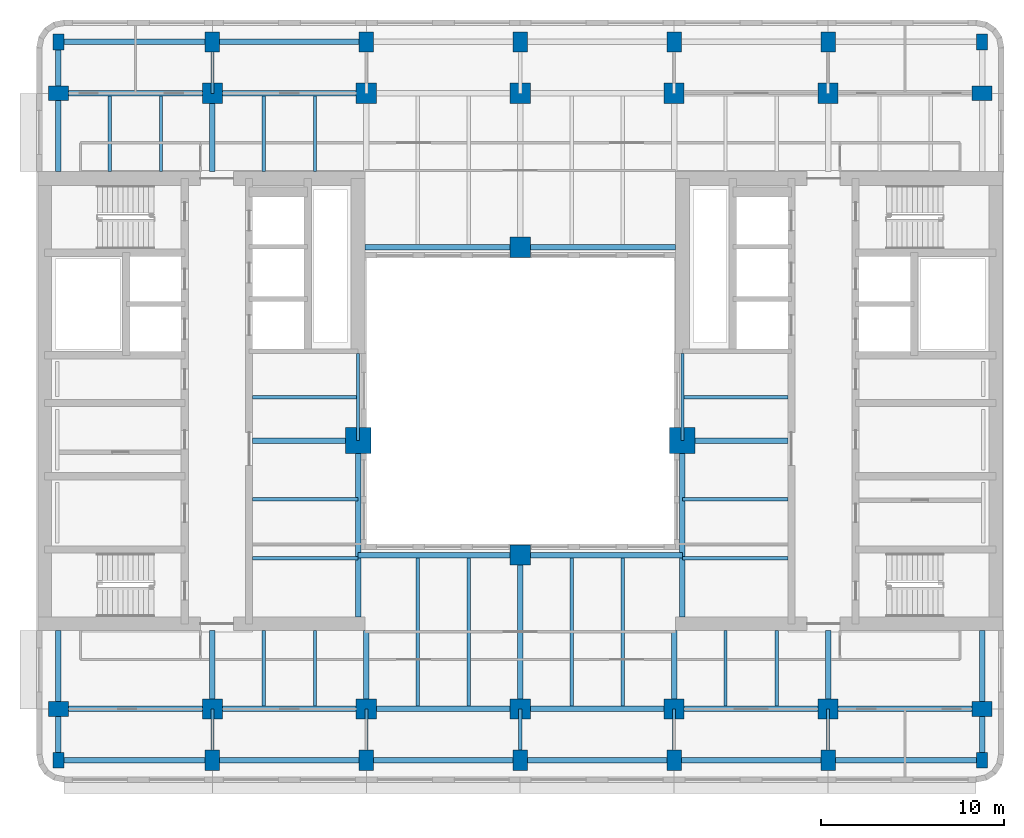
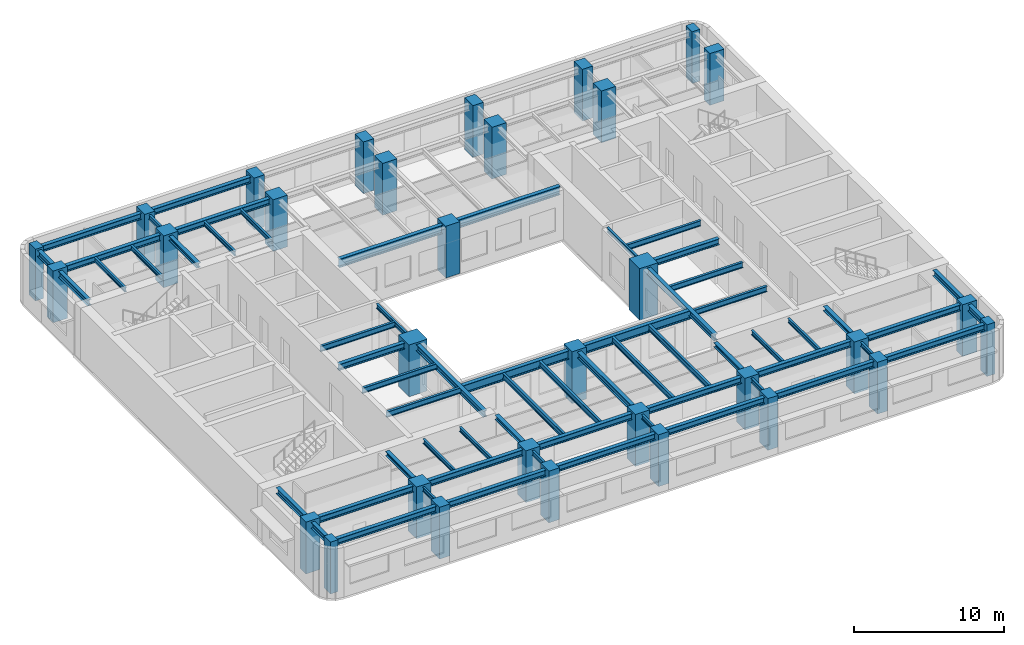
# One storey, part 1 of 11: 62 beams, 32 columns.
"""IFC4 building model written with IfcOpenShell, lengths in metres."""

from ifc_helpers import new_model, si_unit, direction, frame, origin, origin_2d, place, context, subcontext, project, spatial, rectangle, i_section, extrude, material, material_profile, profile_set, type_object, element, save


model = new_model("IFC4")

# Units and contexts
model_context = context("Model", 3, precision=1e-05, world=origin(), true_north=direction((0.0, 1.0)))
body_context = subcontext(model_context, "Body", "Model", "MODEL_VIEW")
ifc_project = project(units=[si_unit("LENGTHUNIT", "METRE"), si_unit("AREAUNIT", "SQUARE_METRE"), si_unit("VOLUMEUNIT", "CUBIC_METRE"), si_unit("PLANEANGLEUNIT", "RADIAN"), si_unit("MASSUNIT", "GRAM", prefix="KILO")], contexts=[model_context])

# Site, building, storey
site_placement = place(None, origin())
site = spatial("IfcSite", under=ifc_project, at=site_placement, CompositionType="ELEMENT")
building_placement = place(site_placement, origin())
building = spatial("IfcBuilding", under=site, at=building_placement, Name="Claustro Exchange Tower", CompositionType="ELEMENT")
storey_placement = place(building_placement, frame((0.0, 0.0, 181.800048828125)))
storey = spatial("IfcBuildingStorey", under=building, at=storey_placement, Name="L41", CompositionType="ELEMENT", Elevation=181.800048828125)

# Columns
ifc_material_1 = material(Name="Concrete HA-70 (C70/85)", Category="concrete")
ifc_material_profile_1 = material_profile(ifc_material_1, rectangle(XDim=1.39990234375, YDim=1.39990234375, at=origin_2d()), Name="RC 1400x1400")
ifc_profile_set_1 = profile_set([ifc_material_profile_1], Name="Concrete HA-70 (C70/85)")
column_type_1 = type_object("IfcColumnType", Name="C0 RC 1400x1400 HA-70 column", PredefinedType="COLUMN", material=ifc_profile_set_1)
for number, where, z_axis, x_axis, name in (
    (1, (16.35009765625, 23.050048828125, 0.0), (0.0, 0.0, 1.0), (1.0, 0.0, 0.0), "Column C0 2+7950/C+6250 L41"),
    (2, (34.050048828125, 23.050048828125, 0.0), (0.0, 0.0, 1.0), (1.0, 0.0, 0.0), "Column C0 5+450/C+6250 L41"),
):
    element("IfcColumn", number, at=place(storey_placement, frame(where, z_axis=z_axis, x_axis=x_axis)), inside=storey, type_object=column_type_1, Name=name, PredefinedType="COLUMN", context=body_context, shape_type="SweptSolid", body=[
        extrude(rectangle(XDim=1.39990234375, YDim=1.39990234375, at=origin_2d()), origin(), (0.0, 0.0, 1.0), 4.199951171875),
    ])
ifc_material_2 = material(Name="Concrete HA-70 (C70/85)", Category="concrete")
ifc_material_profile_2 = material_profile(ifc_material_2, rectangle(XDim=1.10009765625, YDim=1.10009765625, at=origin_2d()), Name="RC 1100x1100")
ifc_profile_set_2 = profile_set([ifc_material_profile_2], Name="Concrete HA-70 (C70/85)")
column_type_2 = type_object("IfcColumnType", Name="C17 RC 1100x1100 HA-70 column", PredefinedType="COLUMN", material=ifc_profile_set_2)
for number, where, z_axis, x_axis, name in (
    (3, (8.39990234375, 8.39990234375, 0.0), (0.0, 0.0, 1.0), (1.0, 0.0, 0.0), "Column C17 2/B L41"),
    (4, (8.39990234375, 42.0, 0.0), (0.0, 0.0, 1.0), (1.0, 0.0, 0.0), "Column C17 2/F L41"),
    (5, (16.800048828125, 8.39990234375, 0.0), (0.0, 0.0, 1.0), (1.0, 0.0, 0.0), "Column C17 3/B L41"),
    (6, (16.800048828125, 42.0, 0.0), (0.0, 0.0, 1.0), (1.0, 0.0, 0.0), "Column C17 3/F L41"),
    (7, (25.199951171875, 8.39990234375, 0.0), (0.0, 0.0, 1.0), (1.0, 0.0, 0.0), "Column C17 4/B L41"),
    (8, (25.199951171875, 42.0, 0.0), (0.0, 0.0, 1.0), (1.0, 0.0, 0.0), "Column C17 4/F L41"),
    (9, (25.199951171875, 16.800048828125, 0.0), (0.0, 0.0, 1.0), (1.0, 0.0, 0.0), "Column C17 4/C L41"),
    (10, (25.199951171875, 33.60009765625, 0.0), (0.0, 0.0, 1.0), (1.0, 0.0, 0.0), "Column C17 4/E L41"),
    (11, (33.60009765625, 8.39990234375, 0.0), (0.0, 0.0, 1.0), (1.0, 0.0, 0.0), "Column C17 5/B L41"),
    (12, (33.60009765625, 42.0, 0.0), (0.0, 0.0, 1.0), (1.0, 0.0, 0.0), "Column C17 5/F L41"),
    (13, (42.0, 8.39990234375, 0.0), (0.0, 0.0, 1.0), (1.0, 0.0, 0.0), "Column C17 6/B L41"),
    (14, (42.0, 42.0, 0.0), (0.0, 0.0, 1.0), (1.0, 0.0, 0.0), "Column C17 6/F L41"),
):
    element("IfcColumn", number, at=place(storey_placement, frame(where, z_axis=z_axis, x_axis=x_axis)), inside=storey, type_object=column_type_2, Name=name, PredefinedType="COLUMN", context=body_context, shape_type="SweptSolid", body=[
        extrude(rectangle(XDim=1.10009765625, YDim=1.10009765625, at=origin_2d()), origin(), (0.0, 0.0, 1.0), 4.199951171875),
    ])
ifc_material_3 = material(Name="Concrete HA-50 (C50/60)", Category="concrete")
ifc_material_profile_3 = material_profile(ifc_material_3, rectangle(XDim=0.800048828125, YDim=1.10009765625, at=origin_2d()), Name="RC 800x1100")
ifc_profile_set_3 = profile_set([ifc_material_profile_3], Name="Concrete HA-50 (C50/60)")
column_type_3 = type_object("IfcColumnType", Name="C23 RC 800x1100 HA-50 perimeter column", PredefinedType="COLUMN", material=ifc_profile_set_3)
for number, where, z_axis, x_axis, name in (
    (15, (0.0, 8.39990234375, 0.0), (0.0, 0.0, 1.0), (0.0, 1.0, 0.0), "Column C23 1/B L41"),
    (16, (0.0, 42.0, 0.0), (0.0, 0.0, 1.0), (0.0, 1.0, 0.0), "Column C23 1/F L41"),
    (17, (8.39990234375, 5.60009765625, 0.0), (0.0, 0.0, 1.0), (1.0, 0.0, 0.0), "Column C23 2/A+5600 L41"),
    (18, (8.39990234375, 44.800048828125, 0.0), (0.0, 0.0, 1.0), (1.0, 0.0, 0.0), "Column C23 2/F+2800 L41"),
    (19, (16.800048828125, 5.60009765625, 0.0), (0.0, 0.0, 1.0), (1.0, 0.0, 0.0), "Column C23 3/A+5600 L41"),
    (20, (16.800048828125, 44.800048828125, 0.0), (0.0, 0.0, 1.0), (1.0, 0.0, 0.0), "Column C23 3/F+2800 L41"),
    (21, (25.199951171875, 5.60009765625, 0.0), (0.0, 0.0, 1.0), (1.0, 0.0, 0.0), "Column C23 4/A+5600 L41"),
    (22, (25.199951171875, 44.800048828125, 0.0), (0.0, 0.0, 1.0), (1.0, 0.0, 0.0), "Column C23 4/F+2800 L41"),
    (23, (33.60009765625, 5.60009765625, 0.0), (0.0, 0.0, 1.0), (1.0, 0.0, 0.0), "Column C23 5/A+5600 L41"),
    (24, (33.60009765625, 44.800048828125, 0.0), (0.0, 0.0, 1.0), (1.0, 0.0, 0.0), "Column C23 5/F+2800 L41"),
    (25, (42.0, 5.60009765625, 0.0), (0.0, 0.0, 1.0), (1.0, 0.0, 0.0), "Column C23 6/A+5600 L41"),
    (26, (42.0, 44.800048828125, 0.0), (0.0, 0.0, 1.0), (1.0, 0.0, 0.0), "Column C23 6/F+2800 L41"),
    (27, (50.39990234375, 8.39990234375, 0.0), (0.0, 0.0, 1.0), (0.0, 1.0, 0.0), "Column C23 7/B L41"),
    (28, (50.39990234375, 42.0, 0.0), (0.0, 0.0, 1.0), (0.0, 1.0, 0.0), "Column C23 7/F L41"),
):
    element("IfcColumn", number, at=place(storey_placement, frame(where, z_axis=z_axis, x_axis=x_axis)), inside=storey, type_object=column_type_3, Name=name, PredefinedType="COLUMN", context=body_context, shape_type="SweptSolid", body=[
        extrude(rectangle(XDim=0.800048828125, YDim=1.10009765625, at=origin_2d()), origin(), (0.0, 0.0, 1.0), 4.199951171875),
    ])
ifc_material_4 = material(Name="Concrete HA-50 (C50/60)", Category="concrete")
ifc_material_profile_4 = material_profile(ifc_material_4, rectangle(XDim=0.60009765625, YDim=0.85009765625, at=origin_2d()), Name="RC 600x850")
ifc_profile_set_4 = profile_set([ifc_material_profile_4], Name="Concrete HA-50 (C50/60)")
column_type_4 = type_object("IfcColumnType", Name="C25 RC 600x850 HA-50 corner column", PredefinedType="COLUMN", material=ifc_profile_set_4)
for number, where, z_axis, x_axis, name in (
    (29, (0.0, 5.60009765625, 0.0), (0.0, 0.0, 1.0), (1.0, 0.0, 0.0), "Column C25 1/A+5600 L41"),
    (30, (0.0, 44.800048828125, 0.0), (0.0, 0.0, 1.0), (1.0, 0.0, 0.0), "Column C25 1/F+2800 L41"),
    (31, (50.39990234375, 5.60009765625, 0.0), (0.0, 0.0, 1.0), (1.0, 0.0, 0.0), "Column C25 7/A+5600 L41"),
    (32, (50.39990234375, 44.800048828125, 0.0), (0.0, 0.0, 1.0), (1.0, 0.0, 0.0), "Column C25 7/F+2800 L41"),
):
    element("IfcColumn", number, at=place(storey_placement, frame(where, z_axis=z_axis, x_axis=x_axis)), inside=storey, type_object=column_type_4, Name=name, PredefinedType="COLUMN", context=body_context, shape_type="SweptSolid", body=[
        extrude(rectangle(XDim=0.60009765625, YDim=0.85009765625, at=origin_2d()), origin(), (0.0, 0.0, 1.0), 4.199951171875),
    ])

# Beams
ifc_material_5 = material(Name="Steel S355", Category="steel")
ifc_material_profile_5 = material_profile(ifc_material_5, i_section(OverallWidth=0.300048828125, OverallDepth=0.68994140625, WebThickness=0.014404296875, FlangeThickness=0.027099609375, FilletRadius=0.027099609375, at=origin_2d()), Name="HE 700 A")
ifc_profile_set_5 = profile_set([ifc_material_profile_5], Name="Steel S355")
beam_type_1 = type_object("IfcBeamType", Name="B13 HE 700 A light well edge girder", PredefinedType="BEAM", material=ifc_profile_set_5)
beam_1_placement = place(storey_placement, frame((16.35009765625, 16.800048828125, 3.704833984375), z_axis=(1.0, 0.0, 0.0), x_axis=(0.0, 1.0, 0.0)))
element("IfcBeam", 33, at=beam_1_placement, inside=storey, type_object=beam_type_1, Name="Beam B13 L42", PredefinedType="BEAM", context=body_context, shape_type="SweptSolid", body=[
    extrude(i_section(OverallWidth=0.300048828125, OverallDepth=0.68994140625, WebThickness=0.014404296875, FlangeThickness=0.027099609375, FilletRadius=0.027099609375, at=origin_2d()), origin(), (0.0, 0.0, 1.0), 8.849853515625),
])
beam_2_placement = place(storey_placement, frame((25.199951171875, 16.800048828125, 3.704833984375), z_axis=(1.0, 0.0, 0.0), x_axis=(0.0, 1.0, 0.0)))
element("IfcBeam", 34, at=beam_2_placement, inside=storey, type_object=beam_type_1, Name="Beam B13 L42", PredefinedType="BEAM", context=body_context, shape_type="SweptSolid", body=[
    extrude(i_section(OverallWidth=0.300048828125, OverallDepth=0.68994140625, WebThickness=0.014404296875, FlangeThickness=0.027099609375, FilletRadius=0.027099609375, at=origin_2d()), origin(), (0.0, 0.0, 1.0), 8.85009765625),
])
beam_3_placement = place(storey_placement, frame((16.72509765625, 33.60009765625, 3.704833984375), z_axis=(1.0, 0.0, 0.0), x_axis=(0.0, 1.0, 0.0)))
element("IfcBeam", 35, at=beam_3_placement, inside=storey, type_object=beam_type_1, Name="Beam B13 L42", PredefinedType="BEAM", context=body_context, shape_type="SweptSolid", body=[
    extrude(i_section(OverallWidth=0.300048828125, OverallDepth=0.68994140625, WebThickness=0.014404296875, FlangeThickness=0.027099609375, FilletRadius=0.027099609375, at=origin_2d()), origin(), (0.0, 0.0, 1.0), 8.474853515625),
])
beam_4_placement = place(storey_placement, frame((25.199951171875, 33.60009765625, 3.704833984375), z_axis=(1.0, 0.0, 0.0), x_axis=(0.0, 1.0, 0.0)))
element("IfcBeam", 36, at=beam_4_placement, inside=storey, type_object=beam_type_1, Name="Beam B13 L42", PredefinedType="BEAM", context=body_context, shape_type="SweptSolid", body=[
    extrude(i_section(OverallWidth=0.300048828125, OverallDepth=0.68994140625, WebThickness=0.014404296875, FlangeThickness=0.027099609375, FilletRadius=0.027099609375, at=origin_2d()), origin(), (0.0, 0.0, 1.0), 8.47509765625),
])
ifc_material_6 = material(Name="Steel S355", Category="steel")
ifc_material_profile_6 = material_profile(ifc_material_6, i_section(OverallWidth=0.169921875, OverallDepth=0.360107421875, WebThickness=0.008056640625, FlangeThickness=0.0126953125, FilletRadius=0.01806640625, at=origin_2d()), Name="IPE 360")
ifc_profile_set_6 = profile_set([ifc_material_profile_6], Name="Steel S355")
beam_type_2 = type_object("IfcBeamType", Name="B16 IPE 360 short-span beam", PredefinedType="BEAM", material=ifc_profile_set_6)
beam_5_placement = place(storey_placement, frame((8.39990234375, 5.60009765625, 3.869873046875), z_axis=(0.0, 1.0, 0.0), x_axis=(-1.0, 0.0, 0.0)))
element("IfcBeam", 37, at=beam_5_placement, inside=storey, type_object=beam_type_2, Name="Beam B16 L42", PredefinedType="BEAM", context=body_context, shape_type="SweptSolid", body=[
    extrude(i_section(OverallWidth=0.169921875, OverallDepth=0.360107421875, WebThickness=0.008056640625, FlangeThickness=0.0126953125, FilletRadius=0.01806640625, at=origin_2d()), origin(), (0.0, 0.0, 1.0), 2.7998046875),
])
beam_6_placement = place(storey_placement, frame((8.39990234375, 42.0, 3.869873046875), z_axis=(0.0, 1.0, 0.0), x_axis=(-1.0, 0.0, 0.0)))
element("IfcBeam", 38, at=beam_6_placement, inside=storey, type_object=beam_type_2, Name="Beam B16 L42", PredefinedType="BEAM", context=body_context, shape_type="SweptSolid", body=[
    extrude(i_section(OverallWidth=0.169921875, OverallDepth=0.360107421875, WebThickness=0.008056640625, FlangeThickness=0.0126953125, FilletRadius=0.01806640625, at=origin_2d()), origin(), (0.0, 0.0, 1.0), 2.800048828125),
])
for number, where, z_axis, x_axis, name in (
    (39, (16.800048828125, 5.60009765625, 3.869873046875), (0.0, 1.0, 0.0), (-1.0, 0.0, 0.0), "Beam B16 L42"),
    (40, (25.199951171875, 5.60009765625, 3.869873046875), (0.0, 1.0, 0.0), (-1.0, 0.0, 0.0), "Beam B16 L42"),
    (41, (33.60009765625, 5.60009765625, 3.869873046875), (0.0, 1.0, 0.0), (-1.0, 0.0, 0.0), "Beam B16 L42"),
    (42, (42.0, 5.60009765625, 3.869873046875), (0.0, 1.0, 0.0), (-1.0, 0.0, 0.0), "Beam B16 L42"),
):
    element("IfcBeam", number, at=place(storey_placement, frame(where, z_axis=z_axis, x_axis=x_axis)), inside=storey, type_object=beam_type_2, Name=name, PredefinedType="BEAM", context=body_context, shape_type="SweptSolid", body=[
        extrude(i_section(OverallWidth=0.169921875, OverallDepth=0.360107421875, WebThickness=0.008056640625, FlangeThickness=0.0126953125, FilletRadius=0.01806640625, at=origin_2d()), origin(), (0.0, 0.0, 1.0), 2.7998046875),
    ])
for number, where, z_axis, x_axis, name in (
    (43, (2.800048828125, 37.72509765625, 3.869873046875), (0.0, 1.0, 0.0), (-1.0, 0.0, 0.0), "Beam B16 L42"),
    (44, (5.60009765625, 37.72509765625, 3.869873046875), (0.0, 1.0, 0.0), (-1.0, 0.0, 0.0), "Beam B16 L42"),
    (45, (11.199951171875, 8.550048828125, 3.869873046875), (0.0, 1.0, 0.0), (-1.0, 0.0, 0.0), "Beam B16 L42"),
    (46, (14.0, 8.550048828125, 3.869873046875), (0.0, 1.0, 0.0), (-1.0, 0.0, 0.0), "Beam B16 L42"),
    (47, (11.199951171875, 37.72509765625, 3.869873046875), (0.0, 1.0, 0.0), (-1.0, 0.0, 0.0), "Beam B16 L42"),
    (48, (14.0, 37.72509765625, 3.869873046875), (0.0, 1.0, 0.0), (-1.0, 0.0, 0.0), "Beam B16 L42"),
    (49, (36.39990234375, 8.550048828125, 3.869873046875), (0.0, 1.0, 0.0), (-1.0, 0.0, 0.0), "Beam B16 L42"),
    (50, (39.199951171875, 8.550048828125, 3.869873046875), (0.0, 1.0, 0.0), (-1.0, 0.0, 0.0), "Beam B16 L42"),
):
    element("IfcBeam", number, at=place(storey_placement, frame(where, z_axis=z_axis, x_axis=x_axis)), inside=storey, type_object=beam_type_2, Name=name, PredefinedType="BEAM", context=body_context, shape_type="SweptSolid", body=[
        extrude(i_section(OverallWidth=0.169921875, OverallDepth=0.360107421875, WebThickness=0.008056640625, FlangeThickness=0.0126953125, FilletRadius=0.01806640625, at=origin_2d()), origin(), (0.0, 0.0, 1.0), 4.125),
    ])
for number, where, z_axis, x_axis, name in (
    (51, (16.35009765625, 23.050048828125, 3.869873046875), (0.0, 1.0, 0.0), (-1.0, 0.0, 0.0), "Beam B16 core step framing L42"),
    (52, (34.050048828125, 23.050048828125, 3.869873046875), (0.0, 1.0, 0.0), (-1.0, 0.0, 0.0), "Beam B16 core step framing L42"),
):
    element("IfcBeam", number, at=place(storey_placement, frame(where, z_axis=z_axis, x_axis=x_axis)), inside=storey, type_object=beam_type_2, Name=name, PredefinedType="BEAM", context=body_context, shape_type="SweptSolid", body=[
        extrude(i_section(OverallWidth=0.169921875, OverallDepth=0.360107421875, WebThickness=0.008056640625, FlangeThickness=0.0126953125, FilletRadius=0.01806640625, at=origin_2d()), origin(), (0.0, 0.0, 1.0), 4.75),
    ])
ifc_material_7 = material(Name="Steel S355", Category="steel")
ifc_material_profile_7 = material_profile(ifc_material_7, i_section(OverallWidth=0.300048828125, OverallDepth=0.360107421875, WebThickness=0.012451171875, FlangeThickness=0.0224609375, FilletRadius=0.027099609375, at=origin_2d()), Name="HE 360 B")
ifc_profile_set_7 = profile_set([ifc_material_profile_7], Name="Steel S355")
beam_type_3 = type_object("IfcBeamType", Name="B29 HE 360 B column to core link beam", PredefinedType="BEAM", material=ifc_profile_set_7)
beam_7_placement = place(storey_placement, frame((8.39990234375, 8.39990234375, 3.869873046875), z_axis=(0.0, 1.0, 0.0), x_axis=(-1.0, 0.0, 0.0)))
element("IfcBeam", 53, at=beam_7_placement, inside=storey, type_object=beam_type_3, Name="Beam B29 L42", PredefinedType="BEAM", context=body_context, shape_type="SweptSolid", body=[
    extrude(i_section(OverallWidth=0.300048828125, OverallDepth=0.360107421875, WebThickness=0.012451171875, FlangeThickness=0.0224609375, FilletRadius=0.027099609375, at=origin_2d()), origin(), (0.0, 0.0, 1.0), 4.275146484375),
])
beam_8_placement = place(storey_placement, frame((8.39990234375, 37.72509765625, 3.869873046875), z_axis=(0.0, 1.0, 0.0), x_axis=(-1.0, 0.0, 0.0)))
element("IfcBeam", 54, at=beam_8_placement, inside=storey, type_object=beam_type_3, Name="Beam B29 L42", PredefinedType="BEAM", context=body_context, shape_type="SweptSolid", body=[
    extrude(i_section(OverallWidth=0.300048828125, OverallDepth=0.360107421875, WebThickness=0.012451171875, FlangeThickness=0.0224609375, FilletRadius=0.027099609375, at=origin_2d()), origin(), (0.0, 0.0, 1.0), 4.27490234375),
])
for number, where, z_axis, x_axis, name in (
    (55, (16.800048828125, 8.39990234375, 3.869873046875), (0.0, 1.0, 0.0), (-1.0, 0.0, 0.0), "Beam B29 L42"),
    (56, (33.60009765625, 8.39990234375, 3.869873046875), (0.0, 1.0, 0.0), (-1.0, 0.0, 0.0), "Beam B29 L42"),
    (57, (42.0, 8.39990234375, 3.869873046875), (0.0, 1.0, 0.0), (-1.0, 0.0, 0.0), "Beam B29 L42"),
):
    element("IfcBeam", number, at=place(storey_placement, frame(where, z_axis=z_axis, x_axis=x_axis)), inside=storey, type_object=beam_type_3, Name=name, PredefinedType="BEAM", context=body_context, shape_type="SweptSolid", body=[
        extrude(i_section(OverallWidth=0.300048828125, OverallDepth=0.360107421875, WebThickness=0.012451171875, FlangeThickness=0.0224609375, FilletRadius=0.027099609375, at=origin_2d()), origin(), (0.0, 0.0, 1.0), 4.275146484375),
    ])
ifc_material_8 = material(Name="Steel S355", Category="steel")
ifc_material_profile_8 = material_profile(ifc_material_8, i_section(OverallWidth=0.300048828125, OverallDepth=0.5, WebThickness=0.014404296875, FlangeThickness=0.028076171875, FilletRadius=0.027099609375, at=origin_2d()), Name="HE 500 B")
ifc_profile_set_8 = profile_set([ifc_material_profile_8], Name="Steel S355")
beam_type_4 = type_object("IfcBeamType", Name="B7 HE 500 B floor girder", PredefinedType="BEAM", material=ifc_profile_set_8)
beam_9_placement = place(storey_placement, frame((25.199951171875, 8.39990234375, 3.800048828125), z_axis=(0.0, 1.0, 0.0), x_axis=(-1.0, 0.0, 0.0)))
element("IfcBeam", 58, at=beam_9_placement, inside=storey, type_object=beam_type_4, Name="Beam B7 L42", PredefinedType="BEAM", context=body_context, shape_type="SweptSolid", body=[
    extrude(i_section(OverallWidth=0.300048828125, OverallDepth=0.5, WebThickness=0.014404296875, FlangeThickness=0.028076171875, FilletRadius=0.027099609375, at=origin_2d()), origin(), (0.0, 0.0, 1.0), 8.400146484375),
])
beam_10_placement = place(storey_placement, frame((0.0, 8.39990234375, 3.800048828125), z_axis=(1.0, 0.0, 0.0), x_axis=(0.0, 1.0, 0.0)))
element("IfcBeam", 59, at=beam_10_placement, inside=storey, type_object=beam_type_4, Name="Beam B7 L42", PredefinedType="BEAM", context=body_context, shape_type="SweptSolid", body=[
    extrude(i_section(OverallWidth=0.300048828125, OverallDepth=0.5, WebThickness=0.014404296875, FlangeThickness=0.028076171875, FilletRadius=0.027099609375, at=origin_2d()), origin(), (0.0, 0.0, 1.0), 8.39990234375),
])
beam_11_placement = place(storey_placement, frame((8.39990234375, 8.39990234375, 3.800048828125), z_axis=(1.0, 0.0, 0.0), x_axis=(0.0, 1.0, 0.0)))
element("IfcBeam", 60, at=beam_11_placement, inside=storey, type_object=beam_type_4, Name="Beam B7 L42", PredefinedType="BEAM", context=body_context, shape_type="SweptSolid", body=[
    extrude(i_section(OverallWidth=0.300048828125, OverallDepth=0.5, WebThickness=0.014404296875, FlangeThickness=0.028076171875, FilletRadius=0.027099609375, at=origin_2d()), origin(), (0.0, 0.0, 1.0), 8.400146484375),
])
beam_12_placement = place(storey_placement, frame((16.800048828125, 8.39990234375, 3.800048828125), z_axis=(1.0, 0.0, 0.0), x_axis=(0.0, 1.0, 0.0)))
element("IfcBeam", 61, at=beam_12_placement, inside=storey, type_object=beam_type_4, Name="Beam B7 L42", PredefinedType="BEAM", context=body_context, shape_type="SweptSolid", body=[
    extrude(i_section(OverallWidth=0.300048828125, OverallDepth=0.5, WebThickness=0.014404296875, FlangeThickness=0.028076171875, FilletRadius=0.027099609375, at=origin_2d()), origin(), (0.0, 0.0, 1.0), 8.39990234375),
])
beam_13_placement = place(storey_placement, frame((25.199951171875, 8.39990234375, 3.800048828125), z_axis=(1.0, 0.0, 0.0), x_axis=(0.0, 1.0, 0.0)))
element("IfcBeam", 62, at=beam_13_placement, inside=storey, type_object=beam_type_4, Name="Beam B7 L42", PredefinedType="BEAM", context=body_context, shape_type="SweptSolid", body=[
    extrude(i_section(OverallWidth=0.300048828125, OverallDepth=0.5, WebThickness=0.014404296875, FlangeThickness=0.028076171875, FilletRadius=0.027099609375, at=origin_2d()), origin(), (0.0, 0.0, 1.0), 8.400146484375),
])
for number, where, z_axis, x_axis, name in (
    (63, (33.60009765625, 8.39990234375, 3.800048828125), (1.0, 0.0, 0.0), (0.0, 1.0, 0.0), "Beam B7 L42"),
    (64, (42.0, 8.39990234375, 3.800048828125), (1.0, 0.0, 0.0), (0.0, 1.0, 0.0), "Beam B7 L42"),
    (65, (0.0, 42.0, 3.800048828125), (1.0, 0.0, 0.0), (0.0, 1.0, 0.0), "Beam B7 L42"),
):
    element("IfcBeam", number, at=place(storey_placement, frame(where, z_axis=z_axis, x_axis=x_axis)), inside=storey, type_object=beam_type_4, Name=name, PredefinedType="BEAM", context=body_context, shape_type="SweptSolid", body=[
        extrude(i_section(OverallWidth=0.300048828125, OverallDepth=0.5, WebThickness=0.014404296875, FlangeThickness=0.028076171875, FilletRadius=0.027099609375, at=origin_2d()), origin(), (0.0, 0.0, 1.0), 8.39990234375),
    ])
beam_14_placement = place(storey_placement, frame((8.39990234375, 42.0, 3.800048828125), z_axis=(1.0, 0.0, 0.0), x_axis=(0.0, 1.0, 0.0)))
element("IfcBeam", 66, at=beam_14_placement, inside=storey, type_object=beam_type_4, Name="Beam B7 L42", PredefinedType="BEAM", context=body_context, shape_type="SweptSolid", body=[
    extrude(i_section(OverallWidth=0.300048828125, OverallDepth=0.5, WebThickness=0.014404296875, FlangeThickness=0.028076171875, FilletRadius=0.027099609375, at=origin_2d()), origin(), (0.0, 0.0, 1.0), 8.400146484375),
])
beam_15_placement = place(storey_placement, frame((10.60009765625, 23.050048828125, 3.800048828125), z_axis=(1.0, 0.0, 0.0), x_axis=(0.0, 1.0, 0.0)))
element("IfcBeam", 67, at=beam_15_placement, inside=storey, type_object=beam_type_4, Name="Beam B7 core step framing L42", PredefinedType="BEAM", context=body_context, shape_type="SweptSolid", body=[
    extrude(i_section(OverallWidth=0.300048828125, OverallDepth=0.5, WebThickness=0.014404296875, FlangeThickness=0.028076171875, FilletRadius=0.027099609375, at=origin_2d()), origin(), (0.0, 0.0, 1.0), 5.75),
])
beam_16_placement = place(storey_placement, frame((16.35009765625, 13.425048828125, 3.800048828125), z_axis=(0.0, 1.0, 0.0), x_axis=(-1.0, 0.0, 0.0)))
element("IfcBeam", 68, at=beam_16_placement, inside=storey, type_object=beam_type_4, Name="Beam B7 core step framing L42", PredefinedType="BEAM", context=body_context, shape_type="SweptSolid", body=[
    extrude(i_section(OverallWidth=0.300048828125, OverallDepth=0.5, WebThickness=0.014404296875, FlangeThickness=0.028076171875, FilletRadius=0.027099609375, at=origin_2d()), origin(), (0.0, 0.0, 1.0), 9.625),
])
beam_17_placement = place(storey_placement, frame((34.050048828125, 23.050048828125, 3.800048828125), z_axis=(1.0, 0.0, 0.0), x_axis=(0.0, 1.0, 0.0)))
element("IfcBeam", 69, at=beam_17_placement, inside=storey, type_object=beam_type_4, Name="Beam B7 core step framing L42", PredefinedType="BEAM", context=body_context, shape_type="SweptSolid", body=[
    extrude(i_section(OverallWidth=0.300048828125, OverallDepth=0.5, WebThickness=0.014404296875, FlangeThickness=0.028076171875, FilletRadius=0.027099609375, at=origin_2d()), origin(), (0.0, 0.0, 1.0), 5.75),
])
beam_18_placement = place(storey_placement, frame((34.050048828125, 13.425048828125, 3.800048828125), z_axis=(0.0, 1.0, 0.0), x_axis=(-1.0, 0.0, 0.0)))
element("IfcBeam", 70, at=beam_18_placement, inside=storey, type_object=beam_type_4, Name="Beam B7 core step framing L42", PredefinedType="BEAM", context=body_context, shape_type="SweptSolid", body=[
    extrude(i_section(OverallWidth=0.300048828125, OverallDepth=0.5, WebThickness=0.014404296875, FlangeThickness=0.028076171875, FilletRadius=0.027099609375, at=origin_2d()), origin(), (0.0, 0.0, 1.0), 9.625),
])
ifc_material_9 = material(Name="Steel S355", Category="steel")
ifc_material_profile_9 = material_profile(ifc_material_9, i_section(OverallWidth=0.18994140625, OverallDepth=0.449951171875, WebThickness=0.009521484375, FlangeThickness=0.0146484375, FilletRadius=0.02099609375, at=origin_2d()), Name="IPE 450")
ifc_profile_set_9 = profile_set([ifc_material_profile_9], Name="Steel S355")
beam_type_5 = type_object("IfcBeamType", Name="B8 IPE 450 secondary beam", PredefinedType="BEAM", material=ifc_profile_set_9)
for number, where, z_axis, x_axis, name in (
    (71, (19.60009765625, 8.550048828125, 3.824951171875), (0.0, 1.0, 0.0), (-1.0, 0.0, 0.0), "Beam B8 L42"),
    (72, (22.39990234375, 8.550048828125, 3.824951171875), (0.0, 1.0, 0.0), (-1.0, 0.0, 0.0), "Beam B8 L42"),
    (73, (28.0, 8.550048828125, 3.824951171875), (0.0, 1.0, 0.0), (-1.0, 0.0, 0.0), "Beam B8 L42"),
    (74, (30.800048828125, 8.550048828125, 3.824951171875), (0.0, 1.0, 0.0), (-1.0, 0.0, 0.0), "Beam B8 L42"),
):
    element("IfcBeam", number, at=place(storey_placement, frame(where, z_axis=z_axis, x_axis=x_axis)), inside=storey, type_object=beam_type_5, Name=name, PredefinedType="BEAM", context=body_context, shape_type="SweptSolid", body=[
        extrude(i_section(OverallWidth=0.18994140625, OverallDepth=0.449951171875, WebThickness=0.009521484375, FlangeThickness=0.0146484375, FilletRadius=0.02099609375, at=origin_2d()), origin(), (0.0, 0.0, 1.0), 8.099853515625),
    ])
for number, where, z_axis, x_axis, name in (
    (75, (10.60009765625, 16.63330078125, 3.824951171875), (1.0, 0.0, 0.0), (0.0, 1.0, 0.0), "Beam B8 core step framing L42"),
    (76, (10.60009765625, 19.841796875, 3.824951171875), (1.0, 0.0, 0.0), (0.0, 1.0, 0.0), "Beam B8 core step framing L42"),
    (77, (10.60009765625, 25.425048828125, 3.824951171875), (1.0, 0.0, 0.0), (0.0, 1.0, 0.0), "Beam B8 core step framing L42"),
    (78, (34.050048828125, 16.63330078125, 3.824951171875), (1.0, 0.0, 0.0), (0.0, 1.0, 0.0), "Beam B8 core step framing L42"),
    (79, (34.050048828125, 19.841796875, 3.824951171875), (1.0, 0.0, 0.0), (0.0, 1.0, 0.0), "Beam B8 core step framing L42"),
    (80, (34.050048828125, 25.425048828125, 3.824951171875), (1.0, 0.0, 0.0), (0.0, 1.0, 0.0), "Beam B8 core step framing L42"),
):
    element("IfcBeam", number, at=place(storey_placement, frame(where, z_axis=z_axis, x_axis=x_axis)), inside=storey, type_object=beam_type_5, Name=name, PredefinedType="BEAM", context=body_context, shape_type="SweptSolid", body=[
        extrude(i_section(OverallWidth=0.18994140625, OverallDepth=0.449951171875, WebThickness=0.009521484375, FlangeThickness=0.0146484375, FilletRadius=0.02099609375, at=origin_2d()), origin(), (0.0, 0.0, 1.0), 5.75),
    ])
ifc_material_10 = material(Name="Steel S355", Category="steel")
ifc_material_profile_10 = material_profile(ifc_material_10, i_section(OverallWidth=0.300048828125, OverallDepth=0.489990234375, WebThickness=0.011962890625, FlangeThickness=0.02294921875, FilletRadius=0.027099609375, at=origin_2d()), Name="HE 500 A")
ifc_profile_set_10 = profile_set([ifc_material_profile_10], Name="Steel S355")
beam_type_6 = type_object("IfcBeamType", Name="B9 HE 500 A spandrel edge girder", PredefinedType="SPANDREL", material=ifc_profile_set_10)
beam_19_placement = place(storey_placement, frame((0.0, 5.60009765625, 3.804931640625), z_axis=(0.0, 1.0, 0.0), x_axis=(-1.0, 0.0, 0.0)))
element("IfcBeam", 81, at=beam_19_placement, inside=storey, type_object=beam_type_6, Name="Beam B9 L42", PredefinedType="SPANDREL", context=body_context, shape_type="SweptSolid", body=[
    extrude(i_section(OverallWidth=0.300048828125, OverallDepth=0.489990234375, WebThickness=0.011962890625, FlangeThickness=0.02294921875, FilletRadius=0.027099609375, at=origin_2d()), origin(), (0.0, 0.0, 1.0), 2.7998046875),
])
beam_20_placement = place(storey_placement, frame((0.0, 8.39990234375, 3.804931640625), z_axis=(0.0, 1.0, 0.0), x_axis=(-1.0, 0.0, 0.0)))
element("IfcBeam", 82, at=beam_20_placement, inside=storey, type_object=beam_type_6, Name="Beam B9 L42", PredefinedType="SPANDREL", context=body_context, shape_type="SweptSolid", body=[
    extrude(i_section(OverallWidth=0.300048828125, OverallDepth=0.489990234375, WebThickness=0.011962890625, FlangeThickness=0.02294921875, FilletRadius=0.027099609375, at=origin_2d()), origin(), (0.0, 0.0, 1.0), 4.275146484375),
])
beam_21_placement = place(storey_placement, frame((0.0, 37.72509765625, 3.804931640625), z_axis=(0.0, 1.0, 0.0), x_axis=(-1.0, 0.0, 0.0)))
element("IfcBeam", 83, at=beam_21_placement, inside=storey, type_object=beam_type_6, Name="Beam B9 L42", PredefinedType="SPANDREL", context=body_context, shape_type="SweptSolid", body=[
    extrude(i_section(OverallWidth=0.300048828125, OverallDepth=0.489990234375, WebThickness=0.011962890625, FlangeThickness=0.02294921875, FilletRadius=0.027099609375, at=origin_2d()), origin(), (0.0, 0.0, 1.0), 4.27490234375),
])
beam_22_placement = place(storey_placement, frame((0.0, 42.0, 3.804931640625), z_axis=(0.0, 1.0, 0.0), x_axis=(-1.0, 0.0, 0.0)))
element("IfcBeam", 84, at=beam_22_placement, inside=storey, type_object=beam_type_6, Name="Beam B9 L42", PredefinedType="SPANDREL", context=body_context, shape_type="SweptSolid", body=[
    extrude(i_section(OverallWidth=0.300048828125, OverallDepth=0.489990234375, WebThickness=0.011962890625, FlangeThickness=0.02294921875, FilletRadius=0.027099609375, at=origin_2d()), origin(), (0.0, 0.0, 1.0), 2.800048828125),
])
beam_23_placement = place(storey_placement, frame((50.39990234375, 5.60009765625, 3.804931640625), z_axis=(0.0, 1.0, 0.0), x_axis=(-1.0, 0.0, 0.0)))
element("IfcBeam", 85, at=beam_23_placement, inside=storey, type_object=beam_type_6, Name="Beam B9 L42", PredefinedType="SPANDREL", context=body_context, shape_type="SweptSolid", body=[
    extrude(i_section(OverallWidth=0.300048828125, OverallDepth=0.489990234375, WebThickness=0.011962890625, FlangeThickness=0.02294921875, FilletRadius=0.027099609375, at=origin_2d()), origin(), (0.0, 0.0, 1.0), 2.7998046875),
])
beam_24_placement = place(storey_placement, frame((50.39990234375, 8.39990234375, 3.804931640625), z_axis=(0.0, 1.0, 0.0), x_axis=(-1.0, 0.0, 0.0)))
element("IfcBeam", 86, at=beam_24_placement, inside=storey, type_object=beam_type_6, Name="Beam B9 L42", PredefinedType="SPANDREL", context=body_context, shape_type="SweptSolid", body=[
    extrude(i_section(OverallWidth=0.300048828125, OverallDepth=0.489990234375, WebThickness=0.011962890625, FlangeThickness=0.02294921875, FilletRadius=0.027099609375, at=origin_2d()), origin(), (0.0, 0.0, 1.0), 4.275146484375),
])
beam_25_placement = place(storey_placement, frame((0.0, 5.60009765625, 3.804931640625), z_axis=(1.0, 0.0, 0.0), x_axis=(0.0, 1.0, 0.0)))
element("IfcBeam", 87, at=beam_25_placement, inside=storey, type_object=beam_type_6, Name="Beam B9 L42", PredefinedType="SPANDREL", context=body_context, shape_type="SweptSolid", body=[
    extrude(i_section(OverallWidth=0.300048828125, OverallDepth=0.489990234375, WebThickness=0.011962890625, FlangeThickness=0.02294921875, FilletRadius=0.027099609375, at=origin_2d()), origin(), (0.0, 0.0, 1.0), 8.39990234375),
])
beam_26_placement = place(storey_placement, frame((8.39990234375, 5.60009765625, 3.804931640625), z_axis=(1.0, 0.0, 0.0), x_axis=(0.0, 1.0, 0.0)))
element("IfcBeam", 88, at=beam_26_placement, inside=storey, type_object=beam_type_6, Name="Beam B9 L42", PredefinedType="SPANDREL", context=body_context, shape_type="SweptSolid", body=[
    extrude(i_section(OverallWidth=0.300048828125, OverallDepth=0.489990234375, WebThickness=0.011962890625, FlangeThickness=0.02294921875, FilletRadius=0.027099609375, at=origin_2d()), origin(), (0.0, 0.0, 1.0), 8.400146484375),
])
beam_27_placement = place(storey_placement, frame((16.800048828125, 5.60009765625, 3.804931640625), z_axis=(1.0, 0.0, 0.0), x_axis=(0.0, 1.0, 0.0)))
element("IfcBeam", 89, at=beam_27_placement, inside=storey, type_object=beam_type_6, Name="Beam B9 L42", PredefinedType="SPANDREL", context=body_context, shape_type="SweptSolid", body=[
    extrude(i_section(OverallWidth=0.300048828125, OverallDepth=0.489990234375, WebThickness=0.011962890625, FlangeThickness=0.02294921875, FilletRadius=0.027099609375, at=origin_2d()), origin(), (0.0, 0.0, 1.0), 8.39990234375),
])
beam_28_placement = place(storey_placement, frame((25.199951171875, 5.60009765625, 3.804931640625), z_axis=(1.0, 0.0, 0.0), x_axis=(0.0, 1.0, 0.0)))
element("IfcBeam", 90, at=beam_28_placement, inside=storey, type_object=beam_type_6, Name="Beam B9 L42", PredefinedType="SPANDREL", context=body_context, shape_type="SweptSolid", body=[
    extrude(i_section(OverallWidth=0.300048828125, OverallDepth=0.489990234375, WebThickness=0.011962890625, FlangeThickness=0.02294921875, FilletRadius=0.027099609375, at=origin_2d()), origin(), (0.0, 0.0, 1.0), 8.400146484375),
])
for number, where, z_axis, x_axis, name in (
    (91, (33.60009765625, 5.60009765625, 3.804931640625), (1.0, 0.0, 0.0), (0.0, 1.0, 0.0), "Beam B9 L42"),
    (92, (42.0, 5.60009765625, 3.804931640625), (1.0, 0.0, 0.0), (0.0, 1.0, 0.0), "Beam B9 L42"),
    (93, (0.0, 44.800048828125, 3.804931640625), (1.0, 0.0, 0.0), (0.0, 1.0, 0.0), "Beam B9 L42"),
):
    element("IfcBeam", number, at=place(storey_placement, frame(where, z_axis=z_axis, x_axis=x_axis)), inside=storey, type_object=beam_type_6, Name=name, PredefinedType="SPANDREL", context=body_context, shape_type="SweptSolid", body=[
        extrude(i_section(OverallWidth=0.300048828125, OverallDepth=0.489990234375, WebThickness=0.011962890625, FlangeThickness=0.02294921875, FilletRadius=0.027099609375, at=origin_2d()), origin(), (0.0, 0.0, 1.0), 8.39990234375),
    ])
beam_29_placement = place(storey_placement, frame((8.39990234375, 44.800048828125, 3.804931640625), z_axis=(1.0, 0.0, 0.0), x_axis=(0.0, 1.0, 0.0)))
element("IfcBeam", 94, at=beam_29_placement, inside=storey, type_object=beam_type_6, Name="Beam B9 L42", PredefinedType="SPANDREL", context=body_context, shape_type="SweptSolid", body=[
    extrude(i_section(OverallWidth=0.300048828125, OverallDepth=0.489990234375, WebThickness=0.011962890625, FlangeThickness=0.02294921875, FilletRadius=0.027099609375, at=origin_2d()), origin(), (0.0, 0.0, 1.0), 8.400146484375),
])

save(model, "model.ifc")
